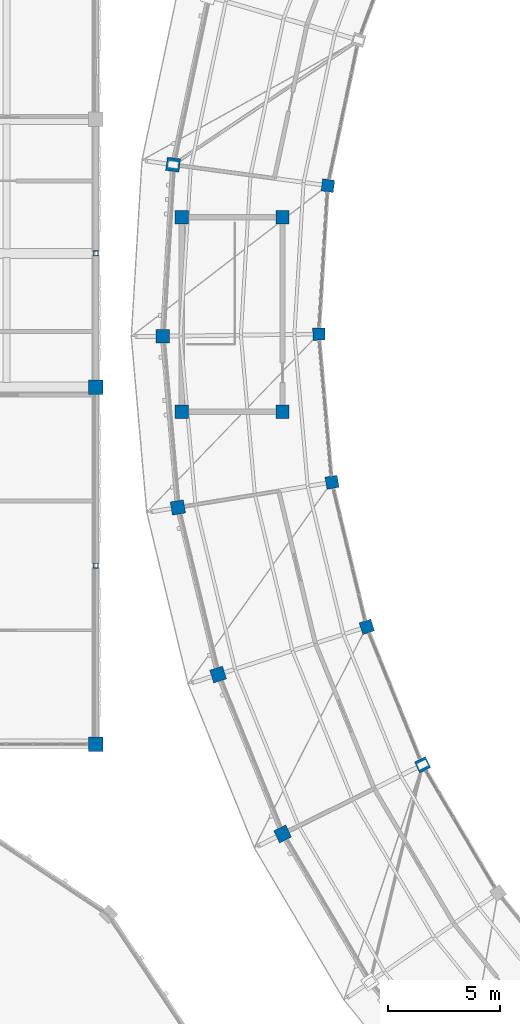
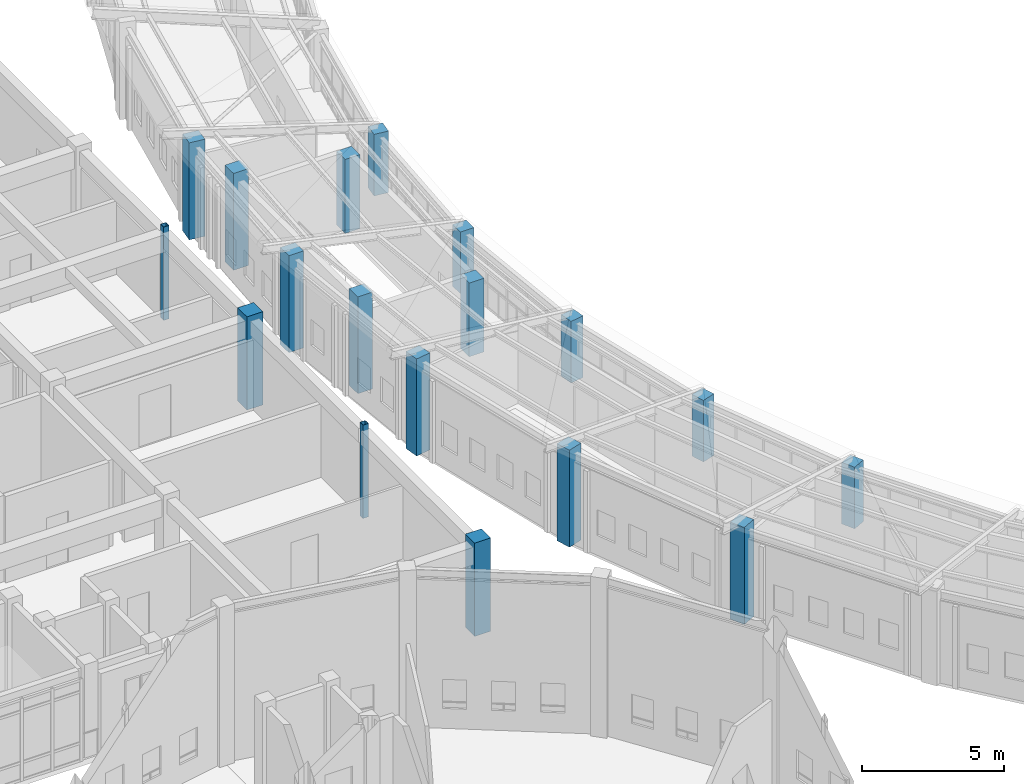
# One storey, part 3 of 149: 18 columns.
"""IFC4 building model written with IfcOpenShell, lengths in metres."""

from ifc_helpers import new_model, si_unit, direction, frame, origin, origin_2d, place, context, subcontext, project, spatial, rectangle, hollow_rectangle, extrude, material, material_profile, profile_set, type_object, element, save


model = new_model("IFC4")

# Units and contexts
model_context = context("Model", 3, precision=1e-05, world=origin(), true_north=direction((0.0, 1.0)))
body_context = subcontext(model_context, "Body", "Model", "MODEL_VIEW")
ifc_project = project(units=[si_unit("LENGTHUNIT", "METRE"), si_unit("AREAUNIT", "SQUARE_METRE"), si_unit("VOLUMEUNIT", "CUBIC_METRE"), si_unit("PLANEANGLEUNIT", "RADIAN"), si_unit("MASSUNIT", "GRAM", prefix="KILO")], contexts=[model_context])

# Site, building, storey
site_placement = place(None, origin())
site = spatial("IfcSite", under=ifc_project, at=site_placement, CompositionType="ELEMENT")
building_placement = place(site_placement, origin())
building = spatial("IfcBuilding", under=site, at=building_placement, Name="Celadon Cloister-Ring School", CompositionType="ELEMENT")
storey_placement = place(building_placement, frame((0.0, 0.0, 12.5)))
storey = spatial("IfcBuildingStorey", under=building, at=storey_placement, Name="L03", CompositionType="ELEMENT", Elevation=12.5)

# Columns
ifc_material_1 = material(Name="Concrete C40/50", Category="concrete")
ifc_material_profile_1 = material_profile(ifc_material_1, rectangle(XDim=0.60009765625, YDim=0.60009765625, at=origin_2d()), Name="RC600X600")
ifc_profile_set_1 = profile_set([ifc_material_profile_1], Name="Concrete C40/50")
column_type_1 = type_object("IfcColumnType", Name="CT-04", PredefinedType="COLUMN", material=ifc_profile_set_1)
column_1_placement = place(storey_placement, frame((35.85009765625, 54.89990234375, 0.0), z_axis=(0.0, 0.0, 1.0), x_axis=(1.0, 0.0, 0.0)))
element("IfcColumn", 1, at=column_1_placement, inside=storey, type_object=column_type_1, Name="Column 0036", PredefinedType="COLUMN", context=body_context, shape_type="SweptSolid", body=[
    extrude(rectangle(XDim=0.60009765625, YDim=0.60009765625, at=origin_2d()), origin(), (0.0, 0.0, 1.0), 4.14990234375),
])
column_2_placement = place(storey_placement, frame((40.3701171875, 54.89990234375, 0.0), z_axis=(0.0, 0.0, 1.0), x_axis=(1.0, 0.0, 0.0)))
element("IfcColumn", 2, at=column_2_placement, inside=storey, type_object=column_type_1, Name="Column 0040", PredefinedType="COLUMN", context=body_context, shape_type="SweptSolid", body=[
    extrude(rectangle(XDim=0.60009765625, YDim=0.60009765625, at=origin_2d()), origin(), (0.0, 0.0, 1.0), 3.158935546875),
])
column_3_placement = place(storey_placement, frame((40.3701171875, 63.6201171875, 0.0), z_axis=(0.0, 0.0, 1.0), x_axis=(1.0, 0.0, 0.0)))
element("IfcColumn", 3, at=column_3_placement, inside=storey, type_object=column_type_1, Name="Column 0044", PredefinedType="COLUMN", context=body_context, shape_type="SweptSolid", body=[
    extrude(rectangle(XDim=0.60009765625, YDim=0.60009765625, at=origin_2d()), origin(), (0.0, 0.0, 1.0), 3.169921875),
])
column_4_placement = place(storey_placement, frame((35.85009765625, 63.6201171875, 0.0), z_axis=(0.0, 0.0, 1.0), x_axis=(1.0, 0.0, 0.0)))
element("IfcColumn", 4, at=column_4_placement, inside=storey, type_object=column_type_1, Name="Column 0048", PredefinedType="COLUMN", context=body_context, shape_type="SweptSolid", body=[
    extrude(rectangle(XDim=0.60009765625, YDim=0.60009765625, at=origin_2d()), origin(), (0.0, 0.0, 1.0), 4.14990234375),
])
ifc_material_2 = material(Name="Concrete C40/50", Category="concrete")
ifc_material_profile_2 = material_profile(ifc_material_2, rectangle(XDim=0.64990234375, YDim=0.64990234375, at=origin_2d()), Name="RC650X650")
ifc_profile_set_2 = profile_set([ifc_material_profile_2], Name="Concrete C40/50")
column_type_2 = type_object("IfcColumnType", Name="CT-22", PredefinedType="COLUMN", material=ifc_profile_set_2)
for number, where, z_axis, x_axis, name in (
    (5, (32.0, 40.0, 0.0), (0.0, 0.0, 1.0), (1.0, 0.0, 0.0), "Column 1151"),
    (6, (32.0, 56.0, 0.0), (0.0, 0.0, 1.0), (1.0, 0.0, 0.0), "Column 1161"),
):
    element("IfcColumn", number, at=place(storey_placement, frame(where, z_axis=z_axis, x_axis=x_axis)), inside=storey, type_object=column_type_2, Name=name, PredefinedType="COLUMN", context=body_context, shape_type="SweptSolid", body=[
        extrude(rectangle(XDim=0.64990234375, YDim=0.64990234375, at=origin_2d()), origin(), (0.0, 0.0, 1.0), 4.0),
    ])
ifc_material_3 = material(Name="Concrete C40/50", Category="concrete")
ifc_material_profile_3 = material_profile(ifc_material_3, rectangle(XDim=0.60009765625, YDim=0.60009765625, at=origin_2d()), Name="RC600X600")
ifc_profile_set_3 = profile_set([ifc_material_profile_3], Name="Concrete C40/50")
column_type_3 = type_object("IfcColumnType", Name="CT-23", PredefinedType="COLUMN", material=ifc_profile_set_3)
for number, where, z_axis, x_axis, name in (
    (7, (35.468994140625, 65.970947265625, 0.0), (0.0, 0.0, 1.0), (-0.9909738433, 0.13405536877, 0.0), "Column 0567"),
    (8, (35.0048828125, 58.281005859375, 0.0), (0.0, 0.0, 1.0), (-0.999904463751, -0.013822567474, 0.0), "Column 0571"),
    (9, (35.681884765625, 50.60693359375, 0.0), (0.0, 0.0, 1.0), (-0.986889540988, -0.161397130983, 0.0), "Column 0575"),
    (10, (37.485107421875, 43.117919921875, 0.0), (0.0, 0.0, 1.0), (-0.95221472185, -0.305429408362, 0.0), "Column 0579"),
    (11, (40.375, 35.97705078125, 0.0), (0.0, 0.0, 1.0), (-0.896641036785, -0.442758231039, 0.0), "Column 0583"),
):
    element("IfcColumn", number, at=place(storey_placement, frame(where, z_axis=z_axis, x_axis=x_axis)), inside=storey, type_object=column_type_3, Name=name, PredefinedType="COLUMN", context=body_context, shape_type="SweptSolid", body=[
        extrude(rectangle(XDim=0.60009765625, YDim=0.60009765625, at=origin_2d()), origin(), (0.0, 0.0, 1.0), 4.159912109375),
    ])
ifc_material_4 = material(Name="Concrete C40/50", Category="concrete")
ifc_material_profile_4 = material_profile(ifc_material_4, rectangle(XDim=0.550048828125, YDim=0.550048828125, at=origin_2d()), Name="RC550X550")
ifc_profile_set_4 = profile_set([ifc_material_profile_4], Name="Concrete C40/50")
column_type_4 = type_object("IfcColumnType", Name="CT-24", PredefinedType="COLUMN", material=ifc_profile_set_4)
for number, where, z_axis, x_axis, name in (
    (12, (42.406005859375, 65.031982421875, 0.0), (0.0, 0.0, 1.0), (-0.9909738433, 0.13405536877, 0.0), "Column 0423"),
    (13, (42.00390625, 58.3779296875, 0.0), (0.0, 0.0, 1.0), (-0.999904463751, -0.013822567474, 0.0), "Column 0427"),
    (14, (42.590087890625, 51.737060546875, 0.0), (0.0, 0.0, 1.0), (-0.986889540988, -0.161397130983, 0.0), "Column 0431"),
    (15, (44.14990234375, 45.256103515625, 0.0), (0.0, 0.0, 1.0), (-0.95221472185, -0.305429408362, 0.0), "Column 0435"),
    (16, (46.65087890625, 39.075927734375, 0.0), (0.0, 0.0, 1.0), (-0.896641036785, -0.442758231039, 0.0), "Column 0439"),
):
    element("IfcColumn", number, at=place(storey_placement, frame(where, z_axis=z_axis, x_axis=x_axis)), inside=storey, type_object=column_type_4, Name=name, PredefinedType="COLUMN", context=body_context, shape_type="SweptSolid", body=[
        extrude(rectangle(XDim=0.550048828125, YDim=0.550048828125, at=origin_2d()), origin(), (0.0, 0.0, 1.0), 2.639892578125),
    ])
ifc_material_5 = material(Name="Structural steel S355JR", Category="steel")
ifc_material_profile_5 = material_profile(ifc_material_5, hollow_rectangle(XDim=0.219970703125, YDim=0.219970703125, WallThickness=0.010009765625, at=origin_2d()), Name="HSS220X220X10")
ifc_profile_set_5 = profile_set([ifc_material_profile_5], Name="Structural steel S355JR")
column_type_5 = type_object("IfcColumnType", Name="CT-26", PredefinedType="COLUMN", material=ifc_profile_set_5)
for number, where, z_axis, x_axis, name in (
    (17, (32.0, 48.0, 0.0), (0.0, 0.0, 1.0), (1.0, 0.0, 0.0), "Column 1156"),
    (18, (32.0, 62.0, 0.0), (0.0, 0.0, 1.0), (1.0, 0.0, 0.0), "Column 1166"),
):
    element("IfcColumn", number, at=place(storey_placement, frame(where, z_axis=z_axis, x_axis=x_axis)), inside=storey, type_object=column_type_5, Name=name, PredefinedType="COLUMN", context=body_context, shape_type="SweptSolid", body=[
        extrude(hollow_rectangle(XDim=0.219970703125, YDim=0.219970703125, WallThickness=0.010009765625, at=origin_2d()), origin(), (0.0, 0.0, 1.0), 4.0),
    ])

save(model, "model.ifc")
